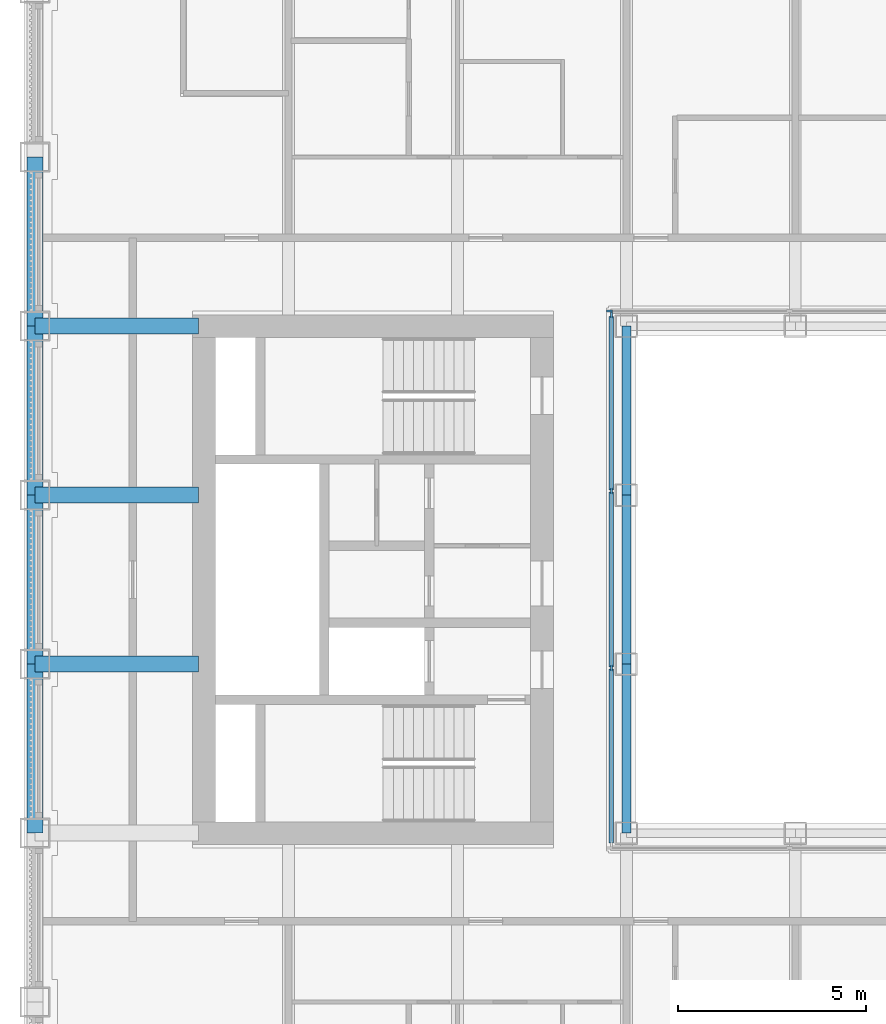
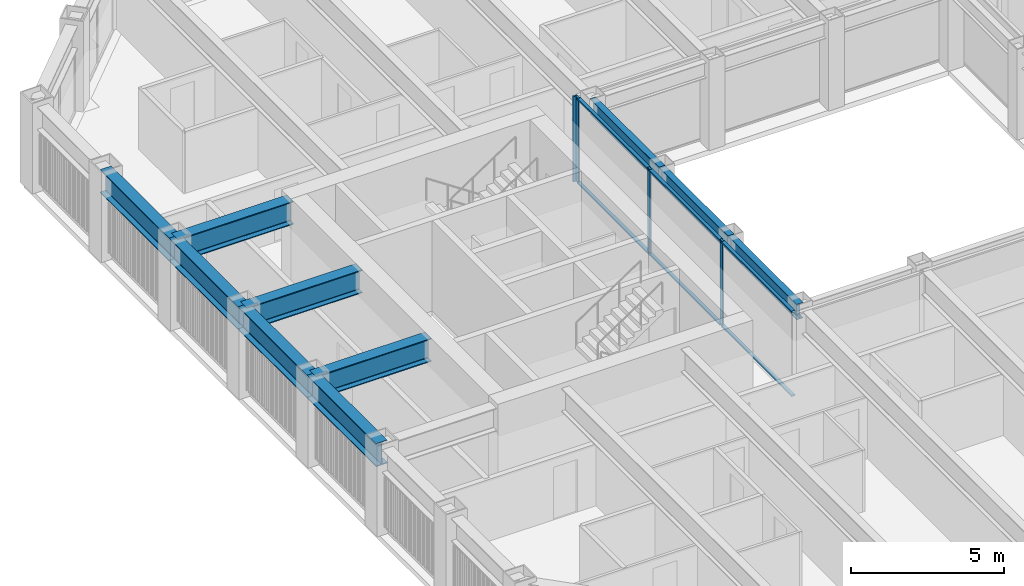
# One storey, part 4 of 18: 10 beams, 10 members, 2 elements without a shape of their own.
"""IFC4 building model written with IfcOpenShell, lengths in metres."""

from ifc_helpers import new_model, si_unit, direction, frame, origin, origin_2d, place, context, subcontext, project, spatial, rectangle, i_section, extrude, material, material_profile, profile_set, type_object, element, aggregate, save


model = new_model("IFC4")

# Units and contexts
model_context = context("Model", 3, precision=1e-05, world=origin(), true_north=direction((0.0, 1.0)))
body_context = subcontext(model_context, "Body", "Model", "MODEL_VIEW")
ifc_project = project(units=[si_unit("LENGTHUNIT", "METRE"), si_unit("AREAUNIT", "SQUARE_METRE"), si_unit("VOLUMEUNIT", "CUBIC_METRE"), si_unit("PLANEANGLEUNIT", "RADIAN"), si_unit("MASSUNIT", "GRAM", prefix="KILO")], contexts=[model_context])

# Site, building, storey
site_placement = place(None, origin())
site = spatial("IfcSite", under=ifc_project, at=site_placement, CompositionType="ELEMENT")
building_placement = place(site_placement, origin())
building = spatial("IfcBuilding", under=site, at=building_placement, Name="Msasa Ring Tower", CompositionType="ELEMENT")
storey_placement = place(building_placement, frame((0.0, 0.0, 183.199951171875)))
storey = spatial("IfcBuildingStorey", under=building, at=storey_placement, Name="L48", CompositionType="ELEMENT", Elevation=183.199951171875)

# Curtain wall, member
ifc_material_1 = material(Name="Aluminium curtain wall with clear glass", Category="aluminium")
curtain_wall_type = type_object("IfcCurtainWallType", Name="CW-W LIGHT WELL CURTAIN WALL", PredefinedType="NOTDEFINED", material=ifc_material_1)
curtain_wall_1_placement = place(storey_placement, origin())
curtain_wall_1 = element("IfcCurtainWall", 1, at=curtain_wall_1_placement, inside=storey, type_object=curtain_wall_type, Name="Light well curtain wall N L48", PredefinedType="NOTDEFINED")
ifc_material_2 = material(Name="Aluminium mullion", Category="aluminium")
ifc_material_profile_1 = material_profile(ifc_material_2, rectangle(XDim=0.06005859375, YDim=0.159912109375, at=origin_2d()), Name="AL 60x160")
ifc_profile_set_1 = profile_set([ifc_material_profile_1], Name="Aluminium mullion")
member_type_1 = type_object("IfcMemberType", Name="CW-W MULLION 60x160", PredefinedType="MULLION", material=ifc_profile_set_1)
member_1_placement = place(storey_placement, frame((-7.199951171875, 7.14990234375, 0.0), z_axis=(0.0, 0.0, 1.0), x_axis=(0.0, 1.0, 0.0)))
member_1 = element("IfcMember", 2, at=member_1_placement, type_object=member_type_1, Name="CW-W mullion 1", PredefinedType="MULLION", context=body_context, shape_type="SweptSolid", body=[
    extrude(rectangle(XDim=0.06005859375, YDim=0.159912109375, at=origin_2d()), origin(), (0.0, 0.0, 1.0), 3.400146484375),
])
aggregate(curtain_wall_1, [member_1])

# Curtain wall, members
curtain_wall_2_placement = place(storey_placement, origin())
curtain_wall_2 = element("IfcCurtainWall", 3, at=curtain_wall_2_placement, inside=storey, type_object=curtain_wall_type, Name="Light well curtain wall W L48", PredefinedType="NOTDEFINED")
member_2_placement = place(storey_placement, frame((-7.14990234375, -2.356689453125, 0.0), z_axis=(0.0, 0.0, 1.0), x_axis=(-1.0, 0.0, 0.0)))
member_2 = element("IfcMember", 4, at=member_2_placement, type_object=member_type_1, Name="CW-W mullion 2", PredefinedType="MULLION", context=body_context, shape_type="SweptSolid", body=[
    extrude(rectangle(XDim=0.06005859375, YDim=0.159912109375, at=origin_2d()), origin(), (0.0, 0.0, 1.0), 3.400146484375),
])
member_3_placement = place(storey_placement, frame((-7.14990234375, 2.356689453125, 0.0), z_axis=(0.0, 0.0, 1.0), x_axis=(-1.0, 0.0, 0.0)))
member_3 = element("IfcMember", 5, at=member_3_placement, type_object=member_type_1, Name="CW-W mullion 3", PredefinedType="MULLION", context=body_context, shape_type="SweptSolid", body=[
    extrude(rectangle(XDim=0.06005859375, YDim=0.159912109375, at=origin_2d()), origin(), (0.0, 0.0, 1.0), 3.400146484375),
])
member_4_placement = place(storey_placement, frame((-7.14990234375, 7.0400390625, 0.0), z_axis=(0.0, 0.0, 1.0), x_axis=(-1.0, 0.0, 0.0)))
member_4 = element("IfcMember", 6, at=member_4_placement, type_object=member_type_1, Name="CW-W mullion 4", PredefinedType="MULLION", context=body_context, shape_type="SweptSolid", body=[
    extrude(rectangle(XDim=0.06005859375, YDim=0.159912109375, at=origin_2d()), origin(), (0.0, 0.0, 1.0), 3.400146484375),
])
ifc_material_3 = material(Name="Aluminium transom", Category="aluminium")
ifc_material_profile_2 = material_profile(ifc_material_3, rectangle(XDim=0.1201171875, YDim=0.06005859375, at=origin_2d()), Name="AL 60x120")
ifc_profile_set_2 = profile_set([ifc_material_profile_2], Name="Aluminium transom")
member_type_2 = type_object("IfcMemberType", Name="CW-W TRANSOM 60x120", PredefinedType="USERDEFINED", material=ifc_profile_set_2)
member_5_placement = place(storey_placement, frame((-7.14990234375, -7.010009765625, 0.030029296875), z_axis=(0.0, 1.0, 0.0), x_axis=(-1.0, 0.0, 0.0)))
member_5 = element("IfcMember", 7, at=member_5_placement, type_object=member_type_2, Name="CW-W transom 1.1", ObjectType="TRANSOM", PredefinedType="USERDEFINED", context=body_context, shape_type="SweptSolid", body=[
    extrude(rectangle(XDim=0.1201171875, YDim=0.06005859375, at=origin_2d()), origin(), (0.0, 0.0, 1.0), 4.623291015625),
])
member_6_placement = place(storey_placement, frame((-7.14990234375, -7.010009765625, 3.3701171875), z_axis=(0.0, 1.0, 0.0), x_axis=(-1.0, 0.0, 0.0)))
member_6 = element("IfcMember", 8, at=member_6_placement, type_object=member_type_2, Name="CW-W transom 1.2", ObjectType="TRANSOM", PredefinedType="USERDEFINED", context=body_context, shape_type="SweptSolid", body=[
    extrude(rectangle(XDim=0.1201171875, YDim=0.06005859375, at=origin_2d()), origin(), (0.0, 0.0, 1.0), 4.623291015625),
])
member_7_placement = place(storey_placement, frame((-7.14990234375, -2.32666015625, 0.030029296875), z_axis=(0.0, 1.0, 0.0), x_axis=(-1.0, 0.0, 0.0)))
member_7 = element("IfcMember", 9, at=member_7_placement, type_object=member_type_2, Name="CW-W transom 2.1", ObjectType="TRANSOM", PredefinedType="USERDEFINED", context=body_context, shape_type="SweptSolid", body=[
    extrude(rectangle(XDim=0.1201171875, YDim=0.06005859375, at=origin_2d()), origin(), (0.0, 0.0, 1.0), 4.6533203125),
])
member_8_placement = place(storey_placement, frame((-7.14990234375, -2.32666015625, 3.3701171875), z_axis=(0.0, 1.0, 0.0), x_axis=(-1.0, 0.0, 0.0)))
member_8 = element("IfcMember", 10, at=member_8_placement, type_object=member_type_2, Name="CW-W transom 2.2", ObjectType="TRANSOM", PredefinedType="USERDEFINED", context=body_context, shape_type="SweptSolid", body=[
    extrude(rectangle(XDim=0.1201171875, YDim=0.06005859375, at=origin_2d()), origin(), (0.0, 0.0, 1.0), 4.6533203125),
])
member_9_placement = place(storey_placement, frame((-7.14990234375, 2.38671875, 0.030029296875), z_axis=(0.0, 1.0, 0.0), x_axis=(-1.0, 0.0, 0.0)))
member_9 = element("IfcMember", 11, at=member_9_placement, type_object=member_type_2, Name="CW-W transom 3.1", ObjectType="TRANSOM", PredefinedType="USERDEFINED", context=body_context, shape_type="SweptSolid", body=[
    extrude(rectangle(XDim=0.1201171875, YDim=0.06005859375, at=origin_2d()), origin(), (0.0, 0.0, 1.0), 4.623291015625),
])
member_10_placement = place(storey_placement, frame((-7.14990234375, 2.38671875, 3.3701171875), z_axis=(0.0, 1.0, 0.0), x_axis=(-1.0, 0.0, 0.0)))
member_10 = element("IfcMember", 12, at=member_10_placement, type_object=member_type_2, Name="CW-W transom 3.2", ObjectType="TRANSOM", PredefinedType="USERDEFINED", context=body_context, shape_type="SweptSolid", body=[
    extrude(rectangle(XDim=0.1201171875, YDim=0.06005859375, at=origin_2d()), origin(), (0.0, 0.0, 1.0), 4.623291015625),
])
aggregate(curtain_wall_2, [member_2, member_3, member_4, member_5, member_6, member_7, member_8, member_9, member_10])

# Beams
ifc_material_4 = material(Name="Steel S355", Category="steel")
ifc_material_profile_3 = material_profile(ifc_material_4, i_section(OverallWidth=0.42041015625, OverallDepth=0.9208984375, WebThickness=0.021484375, FlangeThickness=0.03662109375, FilletRadius=0.024169921875, at=origin_2d()), Name="UB 914x419x388")
ifc_profile_set_3 = profile_set([ifc_material_profile_3], Name="Steel S355")
beam_type_1 = type_object("IfcBeamType", Name="FB2 UB 914x419x388", PredefinedType="BEAM", material=ifc_profile_set_3)
for number, where, z_axis, x_axis, name in (
    (13, (-22.5, -2.25, 2.939453125), (1.0, 0.0, 0.0), (0.0, 1.0, 0.0), "Floor beam W -2.25 under L49"),
    (14, (-22.5, 2.25, 2.939453125), (1.0, 0.0, 0.0), (0.0, 1.0, 0.0), "Floor beam W +2.25 under L49"),
):
    element("IfcBeam", number, at=place(storey_placement, frame(where, z_axis=z_axis, x_axis=x_axis)), inside=storey, type_object=beam_type_1, Name=name, PredefinedType="BEAM", context=body_context, shape_type="SweptSolid", body=[
        extrude(i_section(OverallWidth=0.42041015625, OverallDepth=0.9208984375, WebThickness=0.021484375, FlangeThickness=0.03662109375, FilletRadius=0.024169921875, at=origin_2d()), origin(), (0.0, 0.0, 1.0), 4.35009765625),
    ])
ifc_material_5 = material(Name="Steel S355", Category="steel")
ifc_material_profile_4 = material_profile(ifc_material_5, i_section(OverallWidth=0.42041015625, OverallDepth=0.9208984375, WebThickness=0.021484375, FlangeThickness=0.03662109375, FilletRadius=0.024169921875, at=origin_2d()), Name="UB 914x419x388")
ifc_profile_set_4 = profile_set([ifc_material_profile_4], Name="Steel S355")
beam_type_2 = type_object("IfcBeamType", Name="GB1 UB 914x419x388", PredefinedType="BEAM", material=ifc_profile_set_4)
beam_placement = place(storey_placement, frame((-18.14990234375, 6.75, 2.939453125), z_axis=(-1.0, 0.0, 0.0), x_axis=(0.0, -1.0, 0.0)))
element("IfcBeam", 15, at=beam_placement, inside=storey, type_object=beam_type_2, Name="Girder W +6.75 under L49", PredefinedType="BEAM", context=body_context, shape_type="SweptSolid", body=[
    extrude(i_section(OverallWidth=0.42041015625, OverallDepth=0.9208984375, WebThickness=0.021484375, FlangeThickness=0.03662109375, FilletRadius=0.024169921875, at=origin_2d()), origin(), (0.0, 0.0, 1.0), 4.35009765625),
])
ifc_material_6 = material(Name="Steel S355", Category="steel")
ifc_material_profile_5 = material_profile(ifc_material_6, i_section(OverallWidth=0.230224609375, OverallDepth=0.6171875, WebThickness=0.01318359375, FlangeThickness=0.022216796875, FilletRadius=0.0126953125, at=origin_2d()), Name="UB 610x229x140")
ifc_profile_set_5 = profile_set([ifc_material_profile_5], Name="Steel S355")
beam_type_3 = type_object("IfcBeamType", Name="RB1 UB 610x229x140", PredefinedType="BEAM", material=ifc_profile_set_5)
for number, where, z_axis, x_axis, name in (
    (16, (-6.75, -2.25, 3.091552734375), (0.0, -1.0, 0.0), (1.0, 0.0, 0.0), "Inner ring beam IR-6.75-2.25 under L49"),
    (17, (-6.75, 6.75, 3.091552734375), (0.0, -1.0, 0.0), (1.0, 0.0, 0.0), "Inner ring beam IR-6.75+6.75 under L49"),
    (18, (-6.75, 2.25, 3.091552734375), (0.0, -1.0, 0.0), (1.0, 0.0, 0.0), "Inner ring beam IR-6.75+2.25 under L49"),
):
    element("IfcBeam", number, at=place(storey_placement, frame(where, z_axis=z_axis, x_axis=x_axis)), inside=storey, type_object=beam_type_3, Name=name, PredefinedType="BEAM", context=body_context, shape_type="SweptSolid", body=[
        extrude(i_section(OverallWidth=0.230224609375, OverallDepth=0.6171875, WebThickness=0.01318359375, FlangeThickness=0.022216796875, FilletRadius=0.0126953125, at=origin_2d()), origin(), (0.0, 0.0, 1.0), 4.5),
    ])
ifc_material_7 = material(Name="Steel S355", Category="steel")
ifc_material_profile_6 = material_profile(ifc_material_7, i_section(OverallWidth=0.42041015625, OverallDepth=0.9208984375, WebThickness=0.021484375, FlangeThickness=0.03662109375, FilletRadius=0.024169921875, at=origin_2d()), Name="UB 914x419x388")
ifc_profile_set_6 = profile_set([ifc_material_profile_6], Name="Steel S355")
beam_type_4 = type_object("IfcBeamType", Name="SB1 UB 914x419x388", PredefinedType="SPANDREL", material=ifc_profile_set_6)
for number, where, z_axis, x_axis, name in (
    (19, (-22.5, -2.25, 2.939453125), (0.0, -1.0, 0.0), (1.0, 0.0, 0.0), "Spandrel W-2.25 to W-6.75 under L49"),
    (20, (-22.5, 11.25, 2.939453125), (0.0, -1.0, 0.0), (1.0, 0.0, 0.0), "Spandrel W+11.25 to W+6.75 under L49"),
    (21, (-22.5, 6.75, 2.939453125), (0.0, -1.0, 0.0), (1.0, 0.0, 0.0), "Spandrel W+6.75 to W+2.25 under L49"),
    (22, (-22.5, 2.25, 2.939453125), (0.0, -1.0, 0.0), (1.0, 0.0, 0.0), "Spandrel W+2.25 to W-2.25 under L49"),
):
    element("IfcBeam", number, at=place(storey_placement, frame(where, z_axis=z_axis, x_axis=x_axis)), inside=storey, type_object=beam_type_4, Name=name, PredefinedType="SPANDREL", context=body_context, shape_type="SweptSolid", body=[
        extrude(i_section(OverallWidth=0.42041015625, OverallDepth=0.9208984375, WebThickness=0.021484375, FlangeThickness=0.03662109375, FilletRadius=0.024169921875, at=origin_2d()), origin(), (0.0, 0.0, 1.0), 4.5),
    ])

save(model, "model.ifc")
